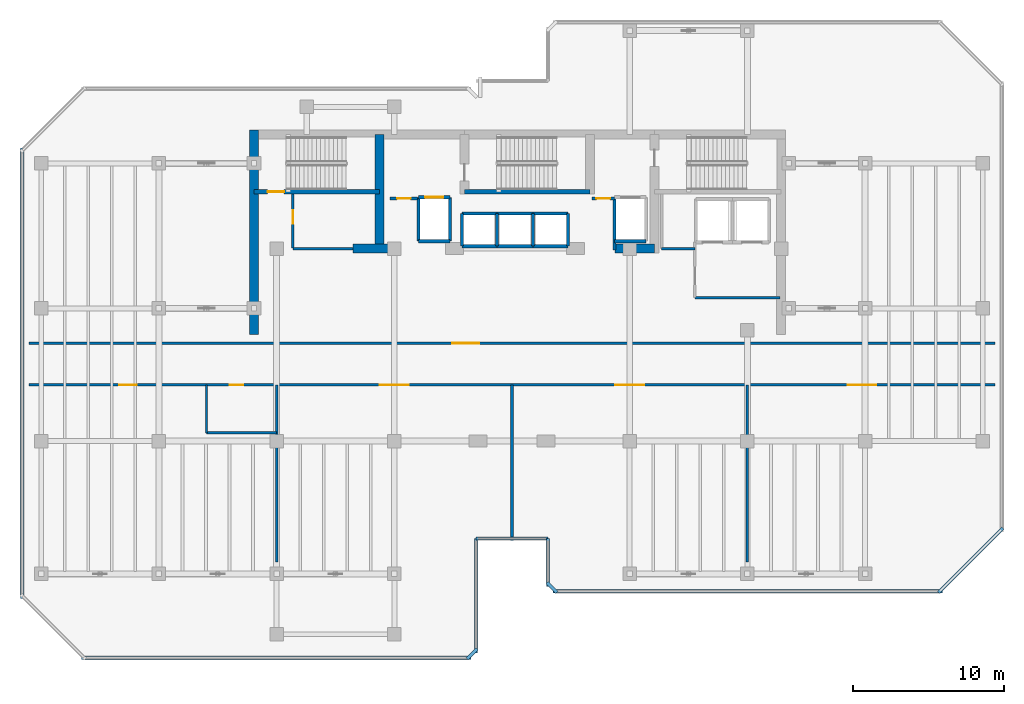
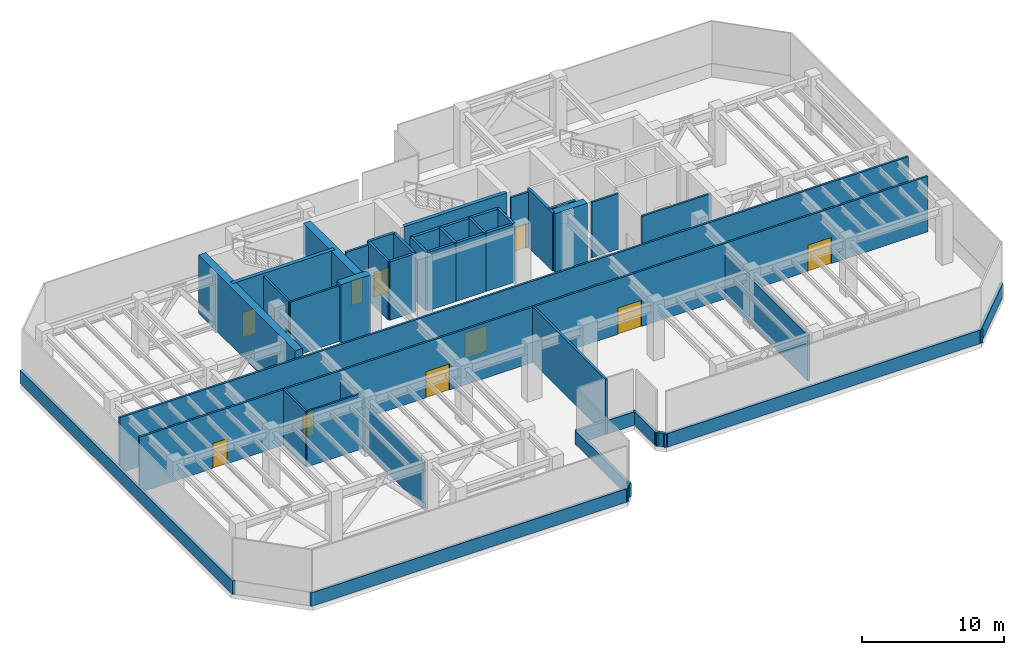
# One storey, part 3 of 9: 44 walls, 11 doors, 11 openings.
"""IFC4 building model written with IfcOpenShell, lengths in metres."""

from ifc_helpers import new_model, si_unit, direction, frame, frame_2d, origin, place, context, subcontext, project, spatial, rectangle, extrude, material, layer, layer_set, type_object, element, fill, save


model = new_model("IFC4")

# Units and contexts
model_context = context("Model", 3, precision=1e-05, world=origin(), true_north=direction((0.0, 1.0)))
body_context = subcontext(model_context, "Body", "Model", "MODEL_VIEW")
ifc_project = project(units=[si_unit("LENGTHUNIT", "METRE"), si_unit("AREAUNIT", "SQUARE_METRE"), si_unit("VOLUMEUNIT", "CUBIC_METRE"), si_unit("PLANEANGLEUNIT", "RADIAN"), si_unit("MASSUNIT", "GRAM", prefix="KILO")], contexts=[model_context])

# Site, building, storey
site_placement = place(None, origin())
site = spatial("IfcSite", under=ifc_project, at=site_placement, CompositionType="ELEMENT")
building_placement = place(site_placement, origin())
building = spatial("IfcBuilding", under=site, at=building_placement, Name="Kestravale Grand Hotel", CompositionType="ELEMENT")
storey_placement = place(building_placement, frame((0.0, 0.0, 240.39990234375)))
storey = spatial("IfcBuildingStorey", under=building, at=storey_placement, Name="L60", CompositionType="ELEMENT", Elevation=240.39990234375)

# Walls
ifc_material_1 = material(Name="Concrete f'c 50 MPa", Category="concrete")
ifc_layer_1 = layer(ifc_material_1, 0.60009765625)
ifc_layer_set_1 = layer_set([ifc_layer_1], Name="EW-CORE-600")
wall_type_1 = type_object("IfcWallType", Name="EW-CORE-600", PredefinedType="SHEAR", material=ifc_layer_set_1)
wall_1_placement = place(storey_placement, frame((21.89990234375, 27.050048828125, 0.0), z_axis=(0.0, 0.0, 1.0), x_axis=(0.0, 1.0, 0.0)))
element("IfcWall", 1, at=wall_1_placement, inside=storey, type_object=wall_type_1, Name="L60 core shear wall W1", PredefinedType="SHEAR", context=body_context, shape_type="SweptSolid", body=[
    extrude(rectangle(XDim=13.570068359375, YDim=0.60009765625, at=frame_2d((6.78515625, 0.0))), origin(), (0.0, 0.0, 1.0), 5.0),
])
wall_2_placement = place(storey_placement, frame((28.449951171875, 32.75, 0.0), z_axis=(0.0, 0.0, 1.0), x_axis=(1.0, 0.0, 0.0)))
element("IfcWall", 2, at=wall_2_placement, inside=storey, type_object=wall_type_1, Name="L60 core shear wall S1", PredefinedType="SHEAR", context=body_context, shape_type="SweptSolid", body=[
    extrude(rectangle(XDim=2.400146484375, YDim=0.60009765625, at=frame_2d((1.2001953125, 0.0))), origin(), (0.0, 0.0, 1.0), 5.0),
])
wall_3_placement = place(storey_placement, frame((45.81005859375, 32.75, 0.0), z_axis=(0.0, 0.0, 1.0), x_axis=(1.0, 0.0, 0.0)))
element("IfcWall", 3, at=wall_3_placement, inside=storey, type_object=wall_type_1, Name="L60 core shear wall S2", PredefinedType="SHEAR", context=body_context, shape_type="SweptSolid", body=[
    extrude(rectangle(XDim=2.639892578125, YDim=0.60009765625, at=frame_2d((1.31982421875, 0.0))), origin(), (0.0, 0.0, 1.0), 5.0),
])
wall_4_placement = place(storey_placement, frame((30.219970703125, 33.050048828125, 0.0), z_axis=(0.0, 0.0, 1.0), x_axis=(0.0, 1.0, 0.0)))
element("IfcWall", 4, at=wall_4_placement, inside=storey, type_object=wall_type_1, Name="L60 core shear wall X1", PredefinedType="SHEAR", context=body_context, shape_type="SweptSolid", body=[
    extrude(rectangle(XDim=7.27001953125, YDim=0.60009765625, at=frame_2d((3.635009765625, 0.0))), origin(), (0.0, 0.0, 1.0), 5.0),
])
ifc_material_2 = material(Name="Precast concrete f'c 45 MPa", Category="concrete")
ifc_layer_2 = layer(ifc_material_2, 0.219970703125)
ifc_layer_set_2 = layer_set([ifc_layer_2], Name="EW-PAR-220")
wall_type_2 = type_object("IfcWallType", Name="EW-PAR-220", PredefinedType="PARAPET", material=ifc_layer_set_2)
wall_5_placement = place(storey_placement, frame((10.4599609375, 5.639892578125, 0.0), z_axis=(0.0, 0.0, 1.0), x_axis=(1.0, 0.0, 0.0)))
element("IfcWall", 5, at=wall_5_placement, inside=storey, type_object=wall_type_2, Name="L60 refuge band parapet wall 1", PredefinedType="PARAPET", context=body_context, shape_type="SweptSolid", body=[
    extrude(rectangle(XDim=25.830078125, YDim=0.219970703125, at=frame_2d((12.9150390625, 0.0))), origin(), (0.0, 0.0, 1.0), 1.150146484375),
])
wall_6_placement = place(storey_placement, frame((36.022705078125, 5.57080078125, 0.0), z_axis=(0.0, 0.0, 1.0), x_axis=(0.707106781187, 0.707106781187, 0.0)))
element("IfcWall", 6, at=wall_6_placement, inside=storey, type_object=wall_type_2, Name="L60 refuge band parapet wall 2", PredefinedType="PARAPET", context=body_context, shape_type="SweptSolid", body=[
    extrude(rectangle(XDim=0.928466796875, YDim=0.219970703125, at=frame_2d((0.46435546875, 0.0))), origin(), (0.0, 0.0, 1.0), 1.150146484375),
])
wall_7_placement = place(storey_placement, frame((36.610107421875, 5.9599609375, 0.0), z_axis=(0.0, 0.0, 1.0), x_axis=(0.0, 1.0, 0.0)))
element("IfcWall", 7, at=wall_7_placement, inside=storey, type_object=wall_type_2, Name="L60 refuge band parapet wall 3", PredefinedType="PARAPET", context=body_context, shape_type="SweptSolid", body=[
    extrude(rectangle(XDim=7.580078125, YDim=0.219970703125, at=frame_2d((3.7900390625, 0.0))), origin(), (0.0, 0.0, 1.0), 1.150146484375),
])
wall_8_placement = place(storey_placement, frame((36.610107421875, 13.5400390625, 0.0), z_axis=(0.0, 0.0, 1.0), x_axis=(1.0, 0.0, 0.0)))
element("IfcWall", 8, at=wall_8_placement, inside=storey, type_object=wall_type_2, Name="L60 refuge band parapet wall 4", PredefinedType="PARAPET", context=body_context, shape_type="SweptSolid", body=[
    extrude(rectangle(XDim=4.77978515625, YDim=0.219970703125, at=frame_2d((2.389892578125, 0.0))), origin(), (0.0, 0.0, 1.0), 1.150146484375),
])
wall_9_placement = place(storey_placement, frame((41.389892578125, 13.5400390625, 0.0), z_axis=(0.0, 0.0, 1.0), x_axis=(0.0, -1.0, 0.0)))
element("IfcWall", 9, at=wall_9_placement, inside=storey, type_object=wall_type_2, Name="L60 refuge band parapet wall 5", PredefinedType="PARAPET", context=body_context, shape_type="SweptSolid", body=[
    extrude(rectangle(XDim=3.179931640625, YDim=0.219970703125, at=frame_2d((1.58984375, 0.0))), origin(), (0.0, 0.0, 1.0), 1.150146484375),
])
wall_10_placement = place(storey_placement, frame((41.32080078125, 10.627197265625, 0.0), z_axis=(0.0, 0.0, 1.0), x_axis=(0.707106781187, -0.707106781187, 0.0)))
element("IfcWall", 10, at=wall_10_placement, inside=storey, type_object=wall_type_2, Name="L60 refuge band parapet wall 6", PredefinedType="PARAPET", context=body_context, shape_type="SweptSolid", body=[
    extrude(rectangle(XDim=0.928466796875, YDim=0.219970703125, at=frame_2d((0.46435546875, 0.0))), origin(), (0.0, 0.0, 1.0), 1.150146484375),
])
wall_11_placement = place(storey_placement, frame((41.7099609375, 10.0400390625, 0.0), z_axis=(0.0, 0.0, 1.0), x_axis=(1.0, 0.0, 0.0)))
element("IfcWall", 11, at=wall_11_placement, inside=storey, type_object=wall_type_2, Name="L60 refuge band parapet wall 7", PredefinedType="PARAPET", context=body_context, shape_type="SweptSolid", body=[
    extrude(rectangle(XDim=25.830078125, YDim=0.219970703125, at=frame_2d((12.9150390625, 0.0))), origin(), (0.0, 0.0, 1.0), 1.150146484375),
])
wall_12_placement = place(storey_placement, frame((67.272705078125, 9.970703125, 0.0), z_axis=(0.0, 0.0, 1.0), x_axis=(0.707106781187, 0.707106781187, 0.0)))
element("IfcWall", 12, at=wall_12_placement, inside=storey, type_object=wall_type_2, Name="L60 refuge band parapet wall 8", PredefinedType="PARAPET", context=body_context, shape_type="SweptSolid", body=[
    extrude(rectangle(XDim=6.019775390625, YDim=0.219970703125, at=frame_2d((3.009765625, 0.0))), origin(), (0.0, 0.0, 1.0), 1.150146484375),
])
wall_13_placement = place(storey_placement, frame((6.5400390625, 39.43994140625, 0.0), z_axis=(0.0, 0.0, 1.0), x_axis=(0.0, -1.0, 0.0)))
element("IfcWall", 13, at=wall_13_placement, inside=storey, type_object=wall_type_2, Name="L60 refuge band parapet wall 19", PredefinedType="PARAPET", context=body_context, shape_type="SweptSolid", body=[
    extrude(rectangle(XDim=29.8798828125, YDim=0.219970703125, at=frame_2d((14.93994140625, 0.0))), origin(), (0.0, 0.0, 1.0), 1.150146484375),
])

# Wall, opening, door
ifc_material_3 = material(Name="Concrete f'c 45 MPa", Category="concrete")
ifc_layer_3 = layer(ifc_material_3, 0.300048828125)
ifc_layer_set_3 = layer_set([ifc_layer_3], Name="EW-STAIR-300")
wall_type_3 = type_object("IfcWallType", Name="EW-STAIR-300", PredefinedType="SHEAR", material=ifc_layer_set_3)
wall_14_placement = place(storey_placement, frame((21.89990234375, 36.52001953125, 0.0), z_axis=(0.0, 0.0, 1.0), x_axis=(1.0, 0.0, 0.0)))
wall_14 = element("IfcWall", 14, at=wall_14_placement, inside=storey, type_object=wall_type_3, Name="L60 stair enclosure shear wall SST1", PredefinedType="SHEAR", context=body_context, shape_type="SweptSolid", body=[
    extrude(rectangle(XDim=8.320068359375, YDim=0.300048828125, at=frame_2d((4.16015625, 0.0))), origin(), (0.0, 0.0, 1.0), 5.0),
])
opening_1_placement = place(wall_14_placement, frame((0.89990234375, 0.0, 0.0)))
opening_1 = element("IfcOpeningElement", 15, at=opening_1_placement, cuts=wall_14, Name="Opening D-ST-1100", PredefinedType="OPENING", context=body_context, shape_type="SweptSolid", body=[
    extrude(rectangle(XDim=1.10009765625, YDim=2.14990234375, at=frame_2d((0.550048828125, 1.074951171875))), frame((0.0, 0.159912109375, 0.0), z_axis=(0.0, -1.0, 0.0), x_axis=(1.0, 0.0, 0.0)), (0.0, 0.0, 1.0), 0.320068359375),
])
ifc_material_4 = material(Name="Galvanised 90-minute fire-rated steel stair door", Category="steel")
door_type_1 = type_object("IfcDoorType", Name="D-ST-1100", OperationType="NOTDEFINED", PredefinedType="DOOR", material=ifc_material_4)
door_1_placement = place(opening_1_placement, origin())
door_1 = element("IfcDoor", 16, at=door_1_placement, inside=storey, type_object=door_type_1, Name="L60 Stair ST-1 fire door", OperationType="SINGLE_SWING_RIGHT", OverallHeight=2.14990234375, OverallWidth=1.10009765625, PredefinedType="DOOR", context=body_context, shape_type="SweptSolid", body=[
    extrude(rectangle(XDim=1.10009765625, YDim=2.14990234375, at=frame_2d((0.550048828125, 1.074951171875))), frame((0.0, 0.02490234375, 0.0), z_axis=(0.0, -1.0, 0.0), x_axis=(1.0, 0.0, 0.0)), (0.0, 0.0, 1.0), 0.050048828125),
])
fill(opening_1, door_1)

# Wall
wall_15_placement = place(storey_placement, frame((35.85009765625, 36.52001953125, 0.0), z_axis=(0.0, 0.0, 1.0), x_axis=(1.0, 0.0, 0.0)))
element("IfcWall", 17, at=wall_15_placement, inside=storey, type_object=wall_type_3, Name="L60 stair enclosure shear wall SST2", PredefinedType="SHEAR", context=body_context, shape_type="SweptSolid", body=[
    extrude(rectangle(XDim=8.329833984375, YDim=0.300048828125, at=frame_2d((4.1650390625, 0.0))), origin(), (0.0, 0.0, 1.0), 5.0),
])

# Wall, opening, door
ifc_material_5 = material(Name="Acoustic fire-rated gypsum board partition", Category="other")
ifc_layer_4 = layer(ifc_material_5, 0.159912109375)
ifc_layer_set_4 = layer_set([ifc_layer_4], Name="IW-CORR-160")
wall_type_4 = type_object("IfcWallType", Name="IW-CORR-160", PredefinedType="PARTITIONING", material=ifc_layer_set_4)
wall_16_placement = place(storey_placement, frame((24.47998046875, 32.800048828125, 0.0), z_axis=(0.0, 0.0, 1.0), x_axis=(0.0, 1.0, 0.0)))
wall_16 = element("IfcWall", 18, at=wall_16_placement, inside=storey, type_object=wall_type_4, Name="L60 west core vestibule wall", PredefinedType="PARTITIONING", context=body_context, shape_type="SweptSolid", body=[
    extrude(rectangle(XDim=3.570068359375, YDim=0.159912109375, at=frame_2d((1.78515625, 0.0))), origin(), (0.0, 0.0, 1.0), 4.760009765625),
])
opening_2_placement = place(wall_16_placement, frame((1.603515625, 0.0, 0.0)))
opening_2 = element("IfcOpeningElement", 19, at=opening_2_placement, cuts=wall_16, Name="Opening D-SH-900", PredefinedType="OPENING", context=body_context, shape_type="SweptSolid", body=[
    extrude(rectangle(XDim=0.89990234375, YDim=2.10009765625, at=frame_2d((0.449951171875, 1.050048828125))), frame((0.0, 0.08984375, 0.0), z_axis=(0.0, -1.0, 0.0), x_axis=(1.0, 0.0, 0.0)), (0.0, 0.0, 1.0), 0.179931640625),
])
ifc_material_6 = material(Name="Galvanised 90-minute shaft and service fire door", Category="steel")
door_type_2 = type_object("IfcDoorType", Name="D-SH-900", OperationType="NOTDEFINED", PredefinedType="DOOR", material=ifc_material_6)
door_2_placement = place(opening_2_placement, origin())
door_2 = element("IfcDoor", 20, at=door_2_placement, inside=storey, type_object=door_type_2, Name="D-L60-HK", OperationType="SINGLE_SWING_RIGHT", OverallHeight=2.10009765625, OverallWidth=0.89990234375, PredefinedType="DOOR", context=body_context, shape_type="SweptSolid", body=[
    extrude(rectangle(XDim=0.89990234375, YDim=2.10009765625, at=frame_2d((0.449951171875, 1.050048828125))), frame((0.0, 0.02490234375, 0.0), z_axis=(0.0, -1.0, 0.0), x_axis=(1.0, 0.0, 0.0)), (0.0, 0.0, 1.0), 0.050048828125),
])
fill(opening_2, door_2)

# Walls
wall_17_placement = place(storey_placement, frame((51.1201171875, 29.5, 0.0), z_axis=(0.0, 0.0, 1.0), x_axis=(1.0, 0.0, 0.0)))
element("IfcWall", 21, at=wall_17_placement, inside=storey, type_object=wall_type_4, Name="L60 service lift lobby wall", PredefinedType="PARTITIONING", context=body_context, shape_type="SweptSolid", body=[
    extrude(rectangle(XDim=5.6298828125, YDim=0.159912109375, at=frame_2d((2.81494140625, 0.0))), origin(), (0.0, 0.0, 1.0), 4.760009765625),
])
wall_18_placement = place(storey_placement, frame((24.47998046875, 32.75, 0.0), z_axis=(0.0, 0.0, 1.0), x_axis=(1.0, 0.0, 0.0)))
element("IfcWall", 22, at=wall_18_placement, inside=storey, type_object=wall_type_4, Name="W-L60-CWS", PredefinedType="PARTITIONING", context=body_context, shape_type="SweptSolid", body=[
    extrude(rectangle(XDim=3.969970703125, YDim=0.159912109375, at=frame_2d((1.98486328125, 0.0))), origin(), (0.0, 0.0, 1.0), 4.760009765625),
])
wall_19_placement = place(storey_placement, frame((48.919921875, 32.75, 0.0), z_axis=(0.0, 0.0, 1.0), x_axis=(1.0, 0.0, 0.0)))
element("IfcWall", 23, at=wall_19_placement, inside=storey, type_object=wall_type_4, Name="W-L60-CES", PredefinedType="PARTITIONING", context=body_context, shape_type="SweptSolid", body=[
    extrude(rectangle(XDim=2.2001953125, YDim=0.159912109375, at=frame_2d((1.10009765625, 0.0))), origin(), (0.0, 0.0, 1.0), 4.760009765625),
])

# Wall, openings, doors
wall_20_placement = place(storey_placement, frame((7.0, 23.719970703125, 0.0), z_axis=(0.0, 0.0, 1.0), x_axis=(1.0, 0.0, 0.0)))
wall_20 = element("IfcWall", 24, at=wall_20_placement, inside=storey, type_object=wall_type_4, Name="W-L60-PC-S", PredefinedType="PARTITIONING", context=body_context, shape_type="SweptSolid", body=[
    extrude(rectangle(XDim=64.0, YDim=0.159912109375, at=frame_2d((32.0, 0.0))), origin(), (0.0, 0.0, 1.0), 4.760009765625),
])
opening_3_placement = place(wall_20_placement, frame((13.31005859375, 0.0, 0.0)))
opening_3 = element("IfcOpeningElement", 25, at=opening_3_placement, cuts=wall_20, Name="Opening D-BATH-880", PredefinedType="OPENING", context=body_context, shape_type="SweptSolid", body=[
    extrude(rectangle(XDim=0.8798828125, YDim=2.050048828125, at=frame_2d((0.43994140625, 1.02490234375))), frame((0.0, 0.08984375, 0.0), z_axis=(0.0, -1.0, 0.0), x_axis=(1.0, 0.0, 0.0)), (0.0, 0.0, 1.0), 0.179931640625),
])
opening_4_placement = place(wall_20_placement, frame((5.97509765625, 0.0, 0.0)))
opening_4 = element("IfcOpeningElement", 26, at=opening_4_placement, cuts=wall_20, Name="Opening D-FSAE-1150", PredefinedType="OPENING", context=body_context, shape_type="SweptSolid", body=[
    extrude(rectangle(XDim=1.14990234375, YDim=2.14990234375, at=frame_2d((0.574951171875, 1.074951171875))), frame((0.0, 0.08984375, 0.0), z_axis=(0.0, -1.0, 0.0), x_axis=(1.0, 0.0, 0.0)), (0.0, 0.0, 1.0), 0.179931640625),
])
opening_5_placement = place(wall_20_placement, frame((23.25, 0.0, 0.0)))
opening_5 = element("IfcOpeningElement", 27, at=opening_5_placement, cuts=wall_20, Name="Opening D-PLT-1900", PredefinedType="OPENING", context=body_context, shape_type="SweptSolid", body=[
    extrude(rectangle(XDim=1.89990234375, YDim=2.25, at=frame_2d((0.949951171875, 1.125))), frame((0.0, 0.08984375, 0.0), z_axis=(0.0, -1.0, 0.0), x_axis=(1.0, 0.0, 0.0)), (0.0, 0.0, 1.0), 0.179931640625),
])
opening_6_placement = place(wall_20_placement, frame((38.85009765625, 0.0, 0.0)))
opening_6 = element("IfcOpeningElement", 28, at=opening_6_placement, cuts=wall_20, Name="Opening D-PLT-1900", PredefinedType="OPENING", context=body_context, shape_type="SweptSolid", body=[
    extrude(rectangle(XDim=1.89990234375, YDim=2.25, at=frame_2d((0.949951171875, 1.125))), frame((0.0, 0.08984375, 0.0), z_axis=(0.0, -1.0, 0.0), x_axis=(1.0, 0.0, 0.0)), (0.0, 0.0, 1.0), 0.179931640625),
])
opening_7_placement = place(wall_20_placement, frame((54.25, 0.0, 0.0)))
opening_7 = element("IfcOpeningElement", 29, at=opening_7_placement, cuts=wall_20, Name="Opening D-PLT-1900", PredefinedType="OPENING", context=body_context, shape_type="SweptSolid", body=[
    extrude(rectangle(XDim=1.89990234375, YDim=2.25, at=frame_2d((0.949951171875, 1.125))), frame((0.0, 0.08984375, 0.0), z_axis=(0.0, -1.0, 0.0), x_axis=(1.0, 0.0, 0.0)), (0.0, 0.0, 1.0), 0.179931640625),
])
ifc_material_7 = material(Name="Moisture-sealed walnut en-suite bathroom door", Category="wood")
door_type_3 = type_object("IfcDoorType", Name="D-BATH-880", OperationType="NOTDEFINED", PredefinedType="DOOR", material=ifc_material_7)
door_3_placement = place(opening_3_placement, origin())
door_3 = element("IfcDoor", 30, at=door_3_placement, inside=storey, type_object=door_type_3, Name="D-L60-RWC", OperationType="SINGLE_SWING_LEFT", OverallHeight=2.050048828125, OverallWidth=0.8798828125, PredefinedType="DOOR", context=body_context, shape_type="SweptSolid", body=[
    extrude(rectangle(XDim=0.8798828125, YDim=2.050048828125, at=frame_2d((0.43994140625, 1.02490234375))), frame((0.0, 0.02490234375, 0.0), z_axis=(0.0, -1.0, 0.0), x_axis=(1.0, 0.0, 0.0)), (0.0, 0.0, 1.0), 0.050048828125),
])
fill(opening_3, door_3)
ifc_material_8 = material(Name="Smoke-gasketed FSAE lobby fire door", Category="steel")
door_type_4 = type_object("IfcDoorType", Name="D-FSAE-1150", OperationType="NOTDEFINED", PredefinedType="DOOR", material=ifc_material_8)
door_4_placement = place(opening_4_placement, origin())
door_4 = element("IfcDoor", 31, at=door_4_placement, inside=storey, type_object=door_type_4, Name="D-L60-REFUGE", OperationType="SINGLE_SWING_RIGHT", OverallHeight=2.14990234375, OverallWidth=1.14990234375, PredefinedType="DOOR", context=body_context, shape_type="SweptSolid", body=[
    extrude(rectangle(XDim=1.14990234375, YDim=2.14990234375, at=frame_2d((0.574951171875, 1.074951171875))), frame((0.0, 0.02490234375, 0.0), z_axis=(0.0, -1.0, 0.0), x_axis=(1.0, 0.0, 0.0)), (0.0, 0.0, 1.0), 0.050048828125),
])
fill(opening_4, door_4)
ifc_material_9 = material(Name="Heavy-duty double plant room fire door", Category="steel")
door_type_5 = type_object("IfcDoorType", Name="D-PLT-1900", OperationType="NOTDEFINED", PredefinedType="DOOR", material=ifc_material_9)
door_5_placement = place(opening_5_placement, origin())
door_5 = element("IfcDoor", 32, at=door_5_placement, inside=storey, type_object=door_type_5, Name="D-L60-AHU", OperationType="DOUBLE_DOOR_SINGLE_SWING", OverallHeight=2.25, OverallWidth=1.89990234375, PredefinedType="DOOR", context=body_context, shape_type="SweptSolid", body=[
    extrude(rectangle(XDim=1.89990234375, YDim=2.25, at=frame_2d((0.949951171875, 1.125))), frame((0.0, 0.02490234375, 0.0), z_axis=(0.0, -1.0, 0.0), x_axis=(1.0, 0.0, 0.0)), (0.0, 0.0, 1.0), 0.050048828125),
])
fill(opening_5, door_5)
door_6_placement = place(opening_6_placement, origin())
door_6 = element("IfcDoor", 33, at=door_6_placement, inside=storey, type_object=door_type_5, Name="D-L60-HEX", OperationType="DOUBLE_DOOR_SINGLE_SWING", OverallHeight=2.25, OverallWidth=1.89990234375, PredefinedType="DOOR", context=body_context, shape_type="SweptSolid", body=[
    extrude(rectangle(XDim=1.89990234375, YDim=2.25, at=frame_2d((0.949951171875, 1.125))), frame((0.0, 0.02490234375, 0.0), z_axis=(0.0, -1.0, 0.0), x_axis=(1.0, 0.0, 0.0)), (0.0, 0.0, 1.0), 0.050048828125),
])
fill(opening_6, door_6)
door_7_placement = place(opening_7_placement, origin())
door_7 = element("IfcDoor", 34, at=door_7_placement, inside=storey, type_object=door_type_5, Name="D-L60-SUB", OperationType="DOUBLE_DOOR_SINGLE_SWING", OverallHeight=2.25, OverallWidth=1.89990234375, PredefinedType="DOOR", context=body_context, shape_type="SweptSolid", body=[
    extrude(rectangle(XDim=1.89990234375, YDim=2.25, at=frame_2d((0.949951171875, 1.125))), frame((0.0, 0.02490234375, 0.0), z_axis=(0.0, -1.0, 0.0), x_axis=(1.0, 0.0, 0.0)), (0.0, 0.0, 1.0), 0.050048828125),
])
fill(opening_7, door_7)

# Wall, opening, door
wall_21_placement = place(storey_placement, frame((7.0, 26.47998046875, 0.0), z_axis=(0.0, 0.0, 1.0), x_axis=(1.0, 0.0, 0.0)))
wall_21 = element("IfcWall", 35, at=wall_21_placement, inside=storey, type_object=wall_type_4, Name="W-L60-PC-N", PredefinedType="PARTITIONING", context=body_context, shape_type="SweptSolid", body=[
    extrude(rectangle(XDim=64.0, YDim=0.159912109375, at=frame_2d((32.0, 0.0))), origin(), (0.0, 0.0, 1.0), 4.760009765625),
])
opening_8_placement = place(wall_21_placement, frame((28.033935546875, 0.0, 0.0)))
opening_8 = element("IfcOpeningElement", 36, at=opening_8_placement, cuts=wall_21, Name="Opening D-CORR-1800", PredefinedType="OPENING", context=body_context, shape_type="SweptSolid", body=[
    extrude(rectangle(XDim=1.800048828125, YDim=2.199951171875, at=frame_2d((0.89990234375, 1.10009765625))), frame((0.0, 0.08984375, 0.0), z_axis=(0.0, -1.0, 0.0), x_axis=(1.0, 0.0, 0.0)), (0.0, 0.0, 1.0), 0.179931640625),
])
ifc_material_10 = material(Name="Double-leaf glazed bronze acoustic corridor fire door", Category="aluminium")
door_type_6 = type_object("IfcDoorType", Name="D-CORR-1800", OperationType="NOTDEFINED", PredefinedType="DOOR", material=ifc_material_10)
door_8_placement = place(opening_8_placement, origin())
door_8 = element("IfcDoor", 37, at=door_8_placement, inside=storey, type_object=door_type_6, Name="D-L60-PC-LFT", OperationType="DOUBLE_DOOR_SINGLE_SWING", OverallHeight=2.199951171875, OverallWidth=1.800048828125, PredefinedType="DOOR", context=body_context, shape_type="SweptSolid", body=[
    extrude(rectangle(XDim=1.800048828125, YDim=2.199951171875, at=frame_2d((0.89990234375, 1.10009765625))), frame((0.0, 0.02490234375, 0.0), z_axis=(0.0, -1.0, 0.0), x_axis=(1.0, 0.0, 0.0)), (0.0, 0.0, 1.0), 0.050048828125),
])
fill(opening_8, door_8)

ifc_material_11 = material(Name="Fire-rated gypsum board on steel studs with mineral wool", Category="steel")
ifc_layer_5 = layer(ifc_material_11, 0.179931640625)
ifc_layer_set_5 = layer_set([ifc_layer_5], Name="IW-FSAE-180")
wall_type_5 = type_object("IfcWallType", Name="IW-FSAE-180", PredefinedType="PARTITIONING", material=ifc_layer_set_5)
wall_22_placement = place(storey_placement, frame((30.89990234375, 36.080078125, 0.0), z_axis=(0.0, 0.0, 1.0), x_axis=(1.0, 0.0, 0.0)))
wall_22 = element("IfcWall", 38, at=wall_22_placement, inside=storey, type_object=wall_type_5, Name="L60 FSAE Lobby 1 smoke barrier", PredefinedType="PARTITIONING", context=body_context, shape_type="SweptSolid", body=[
    extrude(rectangle(XDim=1.85009765625, YDim=0.179931640625, at=frame_2d((0.925048828125, 0.0))), origin(), (0.0, 0.0, 1.0), 4.760009765625),
])
opening_9_placement = place(wall_22_placement, frame((0.47998046875, 0.0, 0.0)))
opening_9 = element("IfcOpeningElement", 39, at=opening_9_placement, cuts=wall_22, Name="Opening D-FSAE-1000", PredefinedType="OPENING", context=body_context, shape_type="SweptSolid", body=[
    extrude(rectangle(XDim=0.89990234375, YDim=2.14990234375, at=frame_2d((0.449951171875, 1.074951171875))), frame((0.0, 0.099853515625, 0.0), z_axis=(0.0, -1.0, 0.0), x_axis=(1.0, 0.0, 0.0)), (0.0, 0.0, 1.0), 0.199951171875),
])
ifc_material_12 = material(Name="Smoke-gasketed FSAE lobby fire door", Category="steel")
door_type_7 = type_object("IfcDoorType", Name="D-FSAE-1000", OperationType="NOTDEFINED", PredefinedType="DOOR", material=ifc_material_12)
door_9_placement = place(opening_9_placement, origin())
door_9 = element("IfcDoor", 40, at=door_9_placement, inside=storey, type_object=door_type_7, Name="L60 FSAE Lobby 1 fire door", OperationType="SINGLE_SWING_RIGHT", OverallHeight=2.14990234375, OverallWidth=0.89990234375, PredefinedType="DOOR", context=body_context, shape_type="SweptSolid", body=[
    extrude(rectangle(XDim=0.89990234375, YDim=2.14990234375, at=frame_2d((0.449951171875, 1.074951171875))), frame((0.0, 0.02490234375, 0.0), z_axis=(0.0, -1.0, 0.0), x_axis=(1.0, 0.0, 0.0)), (0.0, 0.0, 1.0), 0.050048828125),
])
fill(opening_9, door_9)

wall_23_placement = place(storey_placement, frame((44.300048828125, 36.080078125, 0.0), z_axis=(0.0, 0.0, 1.0), x_axis=(1.0, 0.0, 0.0)))
wall_23 = element("IfcWall", 41, at=wall_23_placement, inside=storey, type_object=wall_type_5, Name="L60 FSAE Lobby 2 smoke barrier", PredefinedType="PARTITIONING", context=body_context, shape_type="SweptSolid", body=[
    extrude(rectangle(XDim=1.5, YDim=0.179931640625, at=frame_2d((0.75, 0.0))), origin(), (0.0, 0.0, 1.0), 4.760009765625),
])
opening_10_placement = place(wall_23_placement, frame((0.300048828125, 0.0, 0.0)))
opening_10 = element("IfcOpeningElement", 42, at=opening_10_placement, cuts=wall_23, Name="Opening D-FSAE-1000", PredefinedType="OPENING", context=body_context, shape_type="SweptSolid", body=[
    extrude(rectangle(XDim=0.89990234375, YDim=2.14990234375, at=frame_2d((0.449951171875, 1.074951171875))), frame((0.0, 0.099853515625, 0.0), z_axis=(0.0, -1.0, 0.0), x_axis=(1.0, 0.0, 0.0)), (0.0, 0.0, 1.0), 0.199951171875),
])
door_10_placement = place(opening_10_placement, origin())
door_10 = element("IfcDoor", 43, at=door_10_placement, inside=storey, type_object=door_type_7, Name="L60 FSAE Lobby 2 fire door", OperationType="SINGLE_SWING_LEFT", OverallHeight=2.14990234375, OverallWidth=0.89990234375, PredefinedType="DOOR", context=body_context, shape_type="SweptSolid", body=[
    extrude(rectangle(XDim=0.89990234375, YDim=2.14990234375, at=frame_2d((0.449951171875, 1.074951171875))), frame((0.0, 0.02490234375, 0.0), z_axis=(0.0, -1.0, 0.0), x_axis=(1.0, 0.0, 0.0)), (0.0, 0.0, 1.0), 0.050048828125),
])
fill(opening_10, door_10)

# Walls
wall_24_placement = place(storey_placement, frame((23.39990234375, 12.0, 0.0), z_axis=(0.0, 0.0, 1.0), x_axis=(0.0, 1.0, 0.0)))
element("IfcWall", 44, at=wall_24_placement, inside=storey, type_object=wall_type_5, Name="W-L60-SP-1", PredefinedType="PARTITIONING", context=body_context, shape_type="SweptSolid", body=[
    extrude(rectangle(XDim=11.719970703125, YDim=0.179931640625, at=frame_2d((5.85986328125, 0.0))), origin(), (0.0, 0.0, 1.0), 3.93798828125),
])
wall_25_placement = place(storey_placement, frame((39.0, 13.419921875, 0.0), z_axis=(0.0, 0.0, 1.0), x_axis=(0.0, 1.0, 0.0)))
element("IfcWall", 45, at=wall_25_placement, inside=storey, type_object=wall_type_5, Name="W-L60-SP-2", PredefinedType="PARTITIONING", context=body_context, shape_type="SweptSolid", body=[
    extrude(rectangle(XDim=10.300048828125, YDim=0.179931640625, at=frame_2d((5.14990234375, 0.0))), origin(), (0.0, 0.0, 1.0), 4.760009765625),
])
wall_26_placement = place(storey_placement, frame((54.60009765625, 12.0, 0.0), z_axis=(0.0, 0.0, 1.0), x_axis=(0.0, 1.0, 0.0)))
element("IfcWall", 46, at=wall_26_placement, inside=storey, type_object=wall_type_5, Name="W-L60-SP-3", PredefinedType="PARTITIONING", context=body_context, shape_type="SweptSolid", body=[
    extrude(rectangle(XDim=11.719970703125, YDim=0.179931640625, at=frame_2d((5.85986328125, 0.0))), origin(), (0.0, 0.0, 1.0), 3.93798828125),
])
ifc_material_13 = material(Name="Moisture-resistant tile-backer plumbing chase wall", Category="other")
ifc_layer_6 = layer(ifc_material_13, 0.139892578125)
ifc_layer_set_6 = layer_set([ifc_layer_6], Name="IW-PLB-140")
wall_type_6 = type_object("IfcWallType", Name="IW-PLB-140", PredefinedType="PLUMBINGWALL", material=ifc_layer_set_6)
wall_27_placement = place(storey_placement, frame((18.760009765625, 20.550048828125, 0.0), z_axis=(0.0, 0.0, 1.0), x_axis=(0.0, 1.0, 0.0)))
element("IfcWall", 47, at=wall_27_placement, inside=storey, type_object=wall_type_6, Name="W-L60-RWC-W", PredefinedType="PLUMBINGWALL", context=body_context, shape_type="SweptSolid", body=[
    extrude(rectangle(XDim=3.169921875, YDim=0.139892578125, at=frame_2d((1.5849609375, 0.0))), origin(), (0.0, 0.0, 1.0), 4.760009765625),
])
wall_28_placement = place(storey_placement, frame((18.760009765625, 20.550048828125, 0.0), z_axis=(0.0, 0.0, 1.0), x_axis=(1.0, 0.0, 0.0)))
element("IfcWall", 48, at=wall_28_placement, inside=storey, type_object=wall_type_6, Name="W-L60-RWC-S", PredefinedType="PLUMBINGWALL", context=body_context, shape_type="SweptSolid", body=[
    extrude(rectangle(XDim=4.639892578125, YDim=0.139892578125, at=frame_2d((2.31982421875, 0.0))), origin(), (0.0, 0.0, 1.0), 4.760009765625),
])
ifc_material_14 = material(Name="Concrete f'c 45 MPa", Category="concrete")
ifc_layer_7 = layer(ifc_material_14, 0.199951171875)
ifc_layer_set_7 = layer_set([ifc_layer_7], Name="IW-SHAFT-200")
wall_type_7 = type_object("IfcWallType", Name="IW-SHAFT-200", PredefinedType="SHEAR", material=ifc_layer_set_7)
for number, where, z_axis, x_axis, name in (
    (49, (35.679931640625, 32.919921875, 0.0), (0.0, 0.0, 1.0), (0.0, 1.0, 0.0), "L60 PL-X1 west shaft wall"),
    (50, (38.0, 32.919921875, 0.0), (0.0, 0.0, 1.0), (0.0, 1.0, 0.0), "L60 PL-X2 west shaft wall"),
    (51, (40.39990234375, 32.919921875, 0.0), (0.0, 0.0, 1.0), (0.0, 1.0, 0.0), "L60 PL-X3 west shaft wall"),
    (52, (42.719970703125, 32.919921875, 0.0), (0.0, 0.0, 1.0), (0.0, 1.0, 0.0), "L60 PL-X3 east shaft wall"),
):
    element("IfcWall", number, at=place(storey_placement, frame(where, z_axis=z_axis, x_axis=x_axis)), inside=storey, type_object=wall_type_7, Name=name, PredefinedType="SHEAR", context=body_context, shape_type="SweptSolid", body=[
        extrude(rectangle(XDim=2.16015625, YDim=0.199951171875, at=frame_2d((1.080078125, 0.0))), origin(), (0.0, 0.0, 1.0), 5.0),
    ])
for number, where, z_axis, x_axis, name in (
    (53, (32.804931640625, 33.2451171875, 0.0), (0.0, 0.0, 1.0), (0.0, 1.0, 0.0), "L60 FL-1 west shaft wall"),
    (54, (34.89501953125, 33.2451171875, 0.0), (0.0, 0.0, 1.0), (0.0, 1.0, 0.0), "L60 FL-1 east shaft wall"),
):
    element("IfcWall", number, at=place(storey_placement, frame(where, z_axis=z_axis, x_axis=x_axis)), inside=storey, type_object=wall_type_7, Name=name, PredefinedType="SHEAR", context=body_context, shape_type="SweptSolid", body=[
        extrude(rectangle(XDim=2.909912109375, YDim=0.199951171875, at=frame_2d((1.455078125, 0.0))), origin(), (0.0, 0.0, 1.0), 5.0),
    ])
wall_29_placement = place(storey_placement, frame((45.804931640625, 32.64990234375, 0.0), z_axis=(0.0, 0.0, 1.0), x_axis=(0.0, 1.0, 0.0)))
element("IfcWall", 55, at=wall_29_placement, inside=storey, type_object=wall_type_7, Name="L60 FL-2 west shaft wall", PredefinedType="SHEAR", context=body_context, shape_type="SweptSolid", body=[
    extrude(rectangle(XDim=3.505126953125, YDim=0.199951171875, at=frame_2d((1.75244140625, 0.0))), origin(), (0.0, 0.0, 1.0), 5.0),
])
ifc_material_15 = material(Name="Concrete f'c 45 MPa", Category="concrete")
ifc_layer_8 = layer(ifc_material_15, 0.219970703125)
ifc_layer_set_8 = layer_set([ifc_layer_8], Name="IW-SHAFT-220")
wall_type_8 = type_object("IfcWallType", Name="IW-SHAFT-220", PredefinedType="SHEAR", material=ifc_layer_set_8)
for number, where, z_axis, x_axis, name in (
    (56, (35.679931640625, 35.080078125, 0.0), (0.0, 0.0, 1.0), (1.0, 0.0, 0.0), "L60 PL-X1 north shaft wall"),
    (57, (35.679931640625, 32.919921875, 0.0), (0.0, 0.0, 1.0), (1.0, 0.0, 0.0), "L60 PL-X1 south shaft wall"),
):
    element("IfcWall", number, at=place(storey_placement, frame(where, z_axis=z_axis, x_axis=x_axis)), inside=storey, type_object=wall_type_8, Name=name, PredefinedType="SHEAR", context=body_context, shape_type="SweptSolid", body=[
        extrude(rectangle(XDim=2.320068359375, YDim=0.219970703125, at=frame_2d((1.16015625, 0.0))), origin(), (0.0, 0.0, 1.0), 5.0),
    ])
for number, where, z_axis, x_axis, name in (
    (58, (38.0, 35.080078125, 0.0), (0.0, 0.0, 1.0), (1.0, 0.0, 0.0), "L60 PL-X2 north shaft wall"),
    (59, (38.0, 32.919921875, 0.0), (0.0, 0.0, 1.0), (1.0, 0.0, 0.0), "L60 PL-X2 south shaft wall"),
):
    element("IfcWall", number, at=place(storey_placement, frame(where, z_axis=z_axis, x_axis=x_axis)), inside=storey, type_object=wall_type_8, Name=name, PredefinedType="SHEAR", context=body_context, shape_type="SweptSolid", body=[
        extrude(rectangle(XDim=2.39990234375, YDim=0.219970703125, at=frame_2d((1.199951171875, 0.0))), origin(), (0.0, 0.0, 1.0), 5.0),
    ])
for number, where, z_axis, x_axis, name in (
    (60, (40.39990234375, 35.080078125, 0.0), (0.0, 0.0, 1.0), (1.0, 0.0, 0.0), "L60 PL-X3 north shaft wall"),
    (61, (40.39990234375, 32.919921875, 0.0), (0.0, 0.0, 1.0), (1.0, 0.0, 0.0), "L60 PL-X3 south shaft wall"),
):
    element("IfcWall", number, at=place(storey_placement, frame(where, z_axis=z_axis, x_axis=x_axis)), inside=storey, type_object=wall_type_8, Name=name, PredefinedType="SHEAR", context=body_context, shape_type="SweptSolid", body=[
        extrude(rectangle(XDim=2.320068359375, YDim=0.219970703125, at=frame_2d((1.16015625, 0.0))), origin(), (0.0, 0.0, 1.0), 5.0),
    ])

# Wall, opening, door
wall_30_placement = place(storey_placement, frame((32.804931640625, 36.155029296875, 0.0), z_axis=(0.0, 0.0, 1.0), x_axis=(1.0, 0.0, 0.0)))
wall_30 = element("IfcWall", 62, at=wall_30_placement, inside=storey, type_object=wall_type_8, Name="L60 FL-1 north shaft wall", PredefinedType="SHEAR", context=body_context, shape_type="SweptSolid", body=[
    extrude(rectangle(XDim=2.090087890625, YDim=0.219970703125, at=frame_2d((1.044921875, 0.0))), origin(), (0.0, 0.0, 1.0), 5.0),
])
opening_11_placement = place(wall_30_placement, frame((0.445068359375, 0.0, 0.0)))
opening_11 = element("IfcOpeningElement", 63, at=opening_11_placement, cuts=wall_30, Name="Opening LD-FSAE-1200", PredefinedType="OPENING", context=body_context, shape_type="SweptSolid", body=[
    extrude(rectangle(XDim=1.199951171875, YDim=2.14990234375, at=frame_2d((0.60009765625, 1.074951171875))), frame((0.0, 0.119873046875, 0.0), z_axis=(0.0, -1.0, 0.0), x_axis=(1.0, 0.0, 0.0)), (0.0, 0.0, 1.0), 0.239990234375),
])
ifc_material_16 = material(Name="Stainless fire-service sliding elevator landing door", Category="steel")
door_type_8 = type_object("IfcDoorType", Name="LD-FSAE-1200", OperationType="NOTDEFINED", PredefinedType="DOOR", material=ifc_material_16)
door_11_placement = place(opening_11_placement, origin())
door_11 = element("IfcDoor", 64, at=door_11_placement, inside=storey, type_object=door_type_8, Name="L60 FL-1 elevator landing sliding door", OperationType="DOUBLE_DOOR_SLIDING", OverallHeight=2.14990234375, OverallWidth=1.199951171875, PredefinedType="DOOR", context=body_context, shape_type="SweptSolid", body=[
    extrude(rectangle(XDim=1.199951171875, YDim=2.14990234375, at=frame_2d((0.60009765625, 1.074951171875))), frame((0.0, 0.02490234375, 0.0), z_axis=(0.0, -1.0, 0.0), x_axis=(1.0, 0.0, 0.0)), (0.0, 0.0, 1.0), 0.050048828125),
])
fill(opening_11, door_11)

# Walls
for number, where, z_axis, x_axis, name in (
    (65, (32.804931640625, 33.2451171875, 0.0), (0.0, 0.0, 1.0), (1.0, 0.0, 0.0), "L60 FL-1 south shaft wall"),
    (66, (45.804931640625, 33.2451171875, 0.0), (0.0, 0.0, 1.0), (1.0, 0.0, 0.0), "L60 FL-2 south shaft wall"),
):
    element("IfcWall", number, at=place(storey_placement, frame(where, z_axis=z_axis, x_axis=x_axis)), inside=storey, type_object=wall_type_8, Name=name, PredefinedType="SHEAR", context=body_context, shape_type="SweptSolid", body=[
        extrude(rectangle(XDim=2.090087890625, YDim=0.219970703125, at=frame_2d((1.044921875, 0.0))), origin(), (0.0, 0.0, 1.0), 5.0),
    ])

save(model, "model.ifc")
